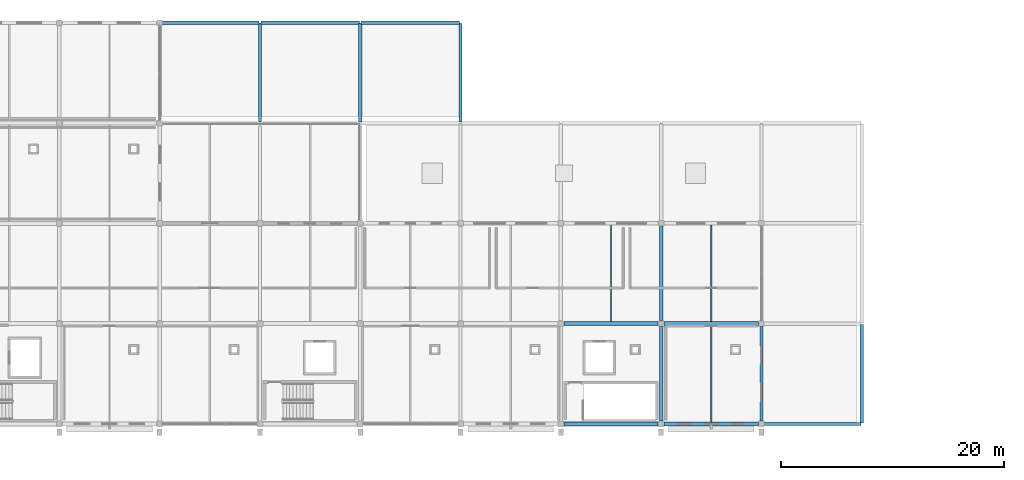
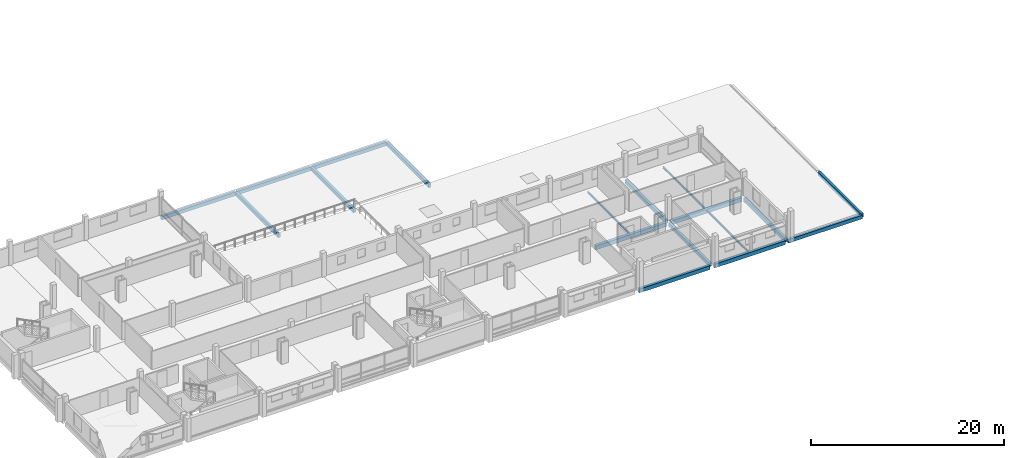
# One storey, part 8 of 25: 18 beams.
"""IFC4 building model written with IfcOpenShell, lengths in metres."""

from ifc_helpers import new_model, si_unit, direction, frame, origin, origin_2d, place, context, subcontext, project, spatial, rectangle, i_section, extrude, material, material_profile, profile_set, type_object, element, save


model = new_model("IFC4")

# Units and contexts
model_context = context("Model", 3, precision=1e-05, world=origin(), true_north=direction((0.0, 1.0)))
body_context = subcontext(model_context, "Body", "Model", "MODEL_VIEW")
ifc_project = project(units=[si_unit("LENGTHUNIT", "METRE"), si_unit("AREAUNIT", "SQUARE_METRE"), si_unit("VOLUMEUNIT", "CUBIC_METRE"), si_unit("PLANEANGLEUNIT", "RADIAN"), si_unit("MASSUNIT", "GRAM", prefix="KILO")], contexts=[model_context])

# Site, building, storey
site_placement = place(None, origin())
site = spatial("IfcSite", under=ifc_project, at=site_placement, CompositionType="ELEMENT")
building_placement = place(site_placement, origin())
building = spatial("IfcBuilding", under=site, at=building_placement, Name="Tharagai Park Tramway Depot", CompositionType="ELEMENT")
storey_placement = place(building_placement, frame((0.0, 0.0, 12.0)))
storey = spatial("IfcBuildingStorey", under=building, at=storey_placement, Name="L03", CompositionType="ELEMENT", Elevation=12.0)

# Beams
ifc_material_1 = material(Name="Concrete M35", Category="concrete")
ifc_material_profile_1 = material_profile(ifc_material_1, rectangle(XDim=0.35009765625, YDim=0.5, at=origin_2d()), Name="RC 350x500")
ifc_profile_set_1 = profile_set([ifc_material_profile_1], Name="Concrete M35")
beam_type_1 = type_object("IfcBeamType", Name="BM-11", PredefinedType="BEAM", material=ifc_profile_set_1)
for number, where, z_axis, x_axis, name in (
    (1, (63.27490234375, 9.0, -0.5), (1.0, 0.0, 0.0), (0.0, 1.0, 0.0), "L03 Grid Beam BM-11"),
    (2, (72.27490234375, 9.0, -0.5), (1.0, 0.0, 0.0), (0.0, 1.0, 0.0), "L03 Grid Beam BM-11"),
):
    element("IfcBeam", number, at=place(storey_placement, frame(where, z_axis=z_axis, x_axis=x_axis)), inside=storey, type_object=beam_type_1, Name=name, PredefinedType="BEAM", context=body_context, shape_type="SweptSolid", body=[
        extrude(rectangle(XDim=0.35009765625, YDim=0.5, at=origin_2d()), origin(), (0.0, 0.0, 1.0), 8.4501953125),
    ])
ifc_material_profile_2 = material_profile(ifc_material_1, rectangle(XDim=0.300048828125, YDim=0.449951171875, at=origin_2d()), Name="RC 300x450")
ifc_profile_set_2 = profile_set([ifc_material_profile_2], Name="Concrete M35")
beam_type_2 = type_object("IfcBeamType", Name="BM-14", PredefinedType="BEAM", material=ifc_profile_set_2)
for number, where, z_axis, x_axis, name in (
    (3, (72.0, 0.27490234375, -0.47509765625), (0.0, 1.0, 0.0), (-1.0, 0.0, 0.0), "L03 Grid Beam BM-14"),
    (4, (72.0, 9.27490234375, -0.47509765625), (0.0, 1.0, 0.0), (-1.0, 0.0, 0.0), "L03 Grid Beam BM-14"),
):
    element("IfcBeam", number, at=place(storey_placement, frame(where, z_axis=z_axis, x_axis=x_axis)), inside=storey, type_object=beam_type_2, Name=name, PredefinedType="BEAM", context=body_context, shape_type="SweptSolid", body=[
        extrude(rectangle(XDim=0.300048828125, YDim=0.449951171875, at=origin_2d()), origin(), (0.0, 0.0, 1.0), 8.4501953125),
    ])
for number, where, z_axis, x_axis, name in (
    (5, (90.0, 0.080078125, -0.465087890625), (0.0, 1.0, 0.0), (-1.0, 0.0, 0.0), "L03 Roof Support Beam BM-14"),
    (6, (81.080078125, 0.0, -0.465087890625), (1.0, 0.0, 0.0), (0.0, 1.0, 0.0), "L03 Roof Support Beam BM-14"),
    (7, (36.0, 27.080078125, -0.465087890625), (0.0, 1.0, 0.0), (-1.0, 0.0, 0.0), "L03 Roof Support Beam BM-14"),
    (8, (45.0, 27.080078125, -0.465087890625), (0.0, 1.0, 0.0), (-1.0, 0.0, 0.0), "L03 Roof Support Beam BM-14"),
    (9, (54.0, 27.080078125, -0.465087890625), (0.0, 1.0, 0.0), (-1.0, 0.0, 0.0), "L03 Roof Support Beam BM-14"),
    (10, (27.080078125, 36.0, -0.465087890625), (1.0, 0.0, 0.0), (0.0, 1.0, 0.0), "L03 Roof Support Beam BM-14"),
    (11, (36.080078125, 36.0, -0.465087890625), (1.0, 0.0, 0.0), (0.0, 1.0, 0.0), "L03 Roof Support Beam BM-14"),
    (12, (45.080078125, 36.0, -0.465087890625), (1.0, 0.0, 0.0), (0.0, 1.0, 0.0), "L03 Roof Support Beam BM-14"),
):
    element("IfcBeam", number, at=place(storey_placement, frame(where, z_axis=z_axis, x_axis=x_axis)), inside=storey, type_object=beam_type_2, Name=name, PredefinedType="BEAM", context=body_context, shape_type="SweptSolid", body=[
        extrude(rectangle(XDim=0.300048828125, YDim=0.449951171875, at=origin_2d()), origin(), (0.0, 0.0, 1.0), 8.83984375),
    ])
ifc_material_2 = material(Name="Steel E250", Category="steel")
ifc_material_profile_3 = material_profile(ifc_material_2, i_section(OverallWidth=0.125, OverallDepth=0.25, WebThickness=0.006103515625, FlangeThickness=0.00830078125, FilletRadius=0.010009765625, at=origin_2d()), Name="ISLB 250")
ifc_profile_set_3 = profile_set([ifc_material_profile_3], Name="Steel E250")
beam_type_3 = type_object("IfcBeamType", Name="JT-04", PredefinedType="JOIST", material=ifc_profile_set_3)
for number, where, z_axis, x_axis, name in (
    (13, (67.5, 9.175048828125, -0.375), (0.0, 1.0, 0.0), (-1.0, 0.0, 0.0), "L03 Secondary Joist JT-04"),
    (14, (76.5, 0.159912109375, -0.375), (0.0, 1.0, 0.0), (-1.0, 0.0, 0.0), "L03 Secondary Joist JT-04"),
    (15, (76.5, 9.175048828125, -0.375), (0.0, 1.0, 0.0), (-1.0, 0.0, 0.0), "L03 Secondary Joist JT-04"),
):
    element("IfcBeam", number, at=place(storey_placement, frame(where, z_axis=z_axis, x_axis=x_axis)), inside=storey, type_object=beam_type_3, Name=name, PredefinedType="JOIST", context=body_context, shape_type="SweptSolid", body=[
        extrude(i_section(OverallWidth=0.125, OverallDepth=0.25, WebThickness=0.006103515625, FlangeThickness=0.00830078125, FilletRadius=0.010009765625, at=origin_2d()), origin(), (0.0, 0.0, 1.0), 8.6650390625),
    ])
ifc_material_profile_4 = material_profile(ifc_material_1, rectangle(XDim=0.300048828125, YDim=0.5, at=origin_2d()), Name="RC 300x500")
ifc_profile_set_4 = profile_set([ifc_material_profile_4], Name="Concrete M35")
beam_type_4 = type_object("IfcBeamType", Name="SP-03", PredefinedType="SPANDREL", material=ifc_profile_set_4)
beam_placement = place(storey_placement, frame((81.0, 0.27490234375, -0.5), z_axis=(0.0, 1.0, 0.0), x_axis=(-1.0, 0.0, 0.0)))
element("IfcBeam", 16, at=beam_placement, inside=storey, type_object=beam_type_4, Name="L03 Grid Beam SP-03", PredefinedType="SPANDREL", context=body_context, shape_type="SweptSolid", body=[
    extrude(rectangle(XDim=0.300048828125, YDim=0.5, at=origin_2d()), origin(), (0.0, 0.0, 1.0), 8.4501953125),
])
ifc_material_profile_5 = material_profile(ifc_material_1, rectangle(XDim=0.320068359375, YDim=0.47998046875, at=origin_2d()), Name="RC 320x480")
ifc_profile_set_5 = profile_set([ifc_material_profile_5], Name="Concrete M35")
beam_type_5 = type_object("IfcBeamType", Name="SP-05", PredefinedType="SPANDREL", material=ifc_profile_set_5)
for number, where, z_axis, x_axis, name in (
    (17, (63.27490234375, 0.0, -0.489990234375), (1.0, 0.0, 0.0), (0.0, 1.0, 0.0), "L03 Grid Beam SP-05"),
    (18, (72.27490234375, 0.0, -0.489990234375), (1.0, 0.0, 0.0), (0.0, 1.0, 0.0), "L03 Grid Beam SP-05"),
):
    element("IfcBeam", number, at=place(storey_placement, frame(where, z_axis=z_axis, x_axis=x_axis)), inside=storey, type_object=beam_type_5, Name=name, PredefinedType="SPANDREL", context=body_context, shape_type="SweptSolid", body=[
        extrude(rectangle(XDim=0.320068359375, YDim=0.47998046875, at=origin_2d()), origin(), (0.0, 0.0, 1.0), 8.4501953125),
    ])

save(model, "model.ifc")
